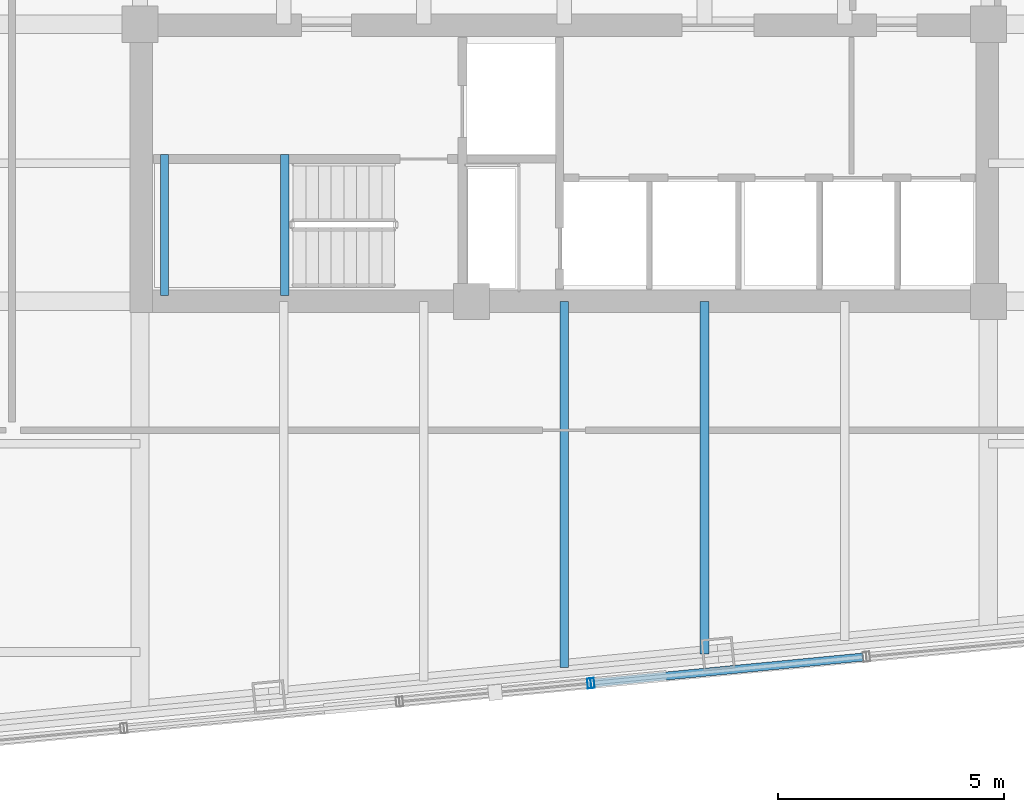
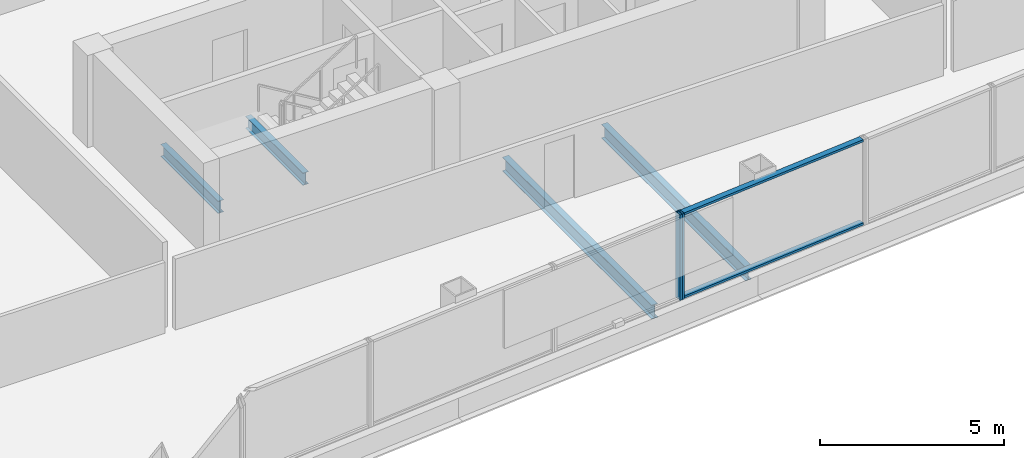
# One storey, part 6 of 28: 4 beams, 4 members, 2 elements without a shape of their own.
"""IFC4 building model written with IfcOpenShell, lengths in metres."""

from ifc_helpers import new_model, si_unit, direction, frame, origin, origin_2d, place, context, subcontext, project, spatial, hollow_rectangle, i_section, extrude, material, layer, layer_set, material_profile, profile_set, type_object, element, aggregate, save


model = new_model("IFC4")

# Units and contexts
model_context = context("Model", 3, precision=1e-05, world=origin(), true_north=direction((0.0, 1.0)))
body_context = subcontext(model_context, "Body", "Model", "MODEL_VIEW")
ifc_project = project(units=[si_unit("LENGTHUNIT", "METRE"), si_unit("AREAUNIT", "SQUARE_METRE"), si_unit("VOLUMEUNIT", "CUBIC_METRE"), si_unit("PLANEANGLEUNIT", "RADIAN"), si_unit("MASSUNIT", "GRAM", prefix="KILO")], contexts=[model_context])

# Site, building, storey
site_placement = place(None, origin())
site = spatial("IfcSite", under=ifc_project, at=site_placement, CompositionType="ELEMENT")
building_placement = place(site_placement, origin())
building = spatial("IfcBuilding", under=site, at=building_placement, Name="Qhalaya Broadcast Tower", CompositionType="ELEMENT")
storey_placement = place(building_placement, frame((0.0, 0.0, 159.199951171875)))
storey = spatial("IfcBuildingStorey", under=building, at=storey_placement, Name="L46", CompositionType="ELEMENT", Elevation=159.199951171875)

# Beams
ifc_material_1 = material(Name="Structural Steel ASTM A992 Grade 50", Category="steel")
ifc_material_profile_1 = material_profile(ifc_material_1, i_section(OverallWidth=0.19189453125, OverallDepth=0.462890625, WebThickness=0.010498046875, FlangeThickness=0.017578125, at=origin_2d()), Name="W18X60")
ifc_profile_set_1 = profile_set([ifc_material_profile_1], Name="Structural Steel ASTM A992 Grade 50")
beam_type_1 = type_object("IfcBeamType", Name="Composite Floor Joist J03", PredefinedType="JOIST", material=ifc_profile_set_1)
beam_1_placement = place(storey_placement, frame((0.0, -16.844482421875, -0.451416015625), z_axis=(0.0, 1.0, 0.0), x_axis=(-1.0, 0.0, 0.0)))
element("IfcBeam", 1, at=beam_1_placement, inside=storey, type_object=beam_type_1, Name="L46 J03 L46-JNS3-1", PredefinedType="JOIST", context=body_context, shape_type="SweptSolid", body=[
    extrude(i_section(OverallWidth=0.19189453125, OverallDepth=0.462890625, WebThickness=0.010498046875, FlangeThickness=0.017578125, at=origin_2d()), origin(), (0.0, 0.0, 1.0), 8.094482421875),
])
beam_2_placement = place(storey_placement, frame((3.10009765625, -16.546142578125, -0.451416015625), z_axis=(0.0, 1.0, 0.0), x_axis=(-1.0, 0.0, 0.0)))
element("IfcBeam", 2, at=beam_2_placement, inside=storey, type_object=beam_type_1, Name="L46 J03 L46-JNS4-1", PredefinedType="JOIST", context=body_context, shape_type="SweptSolid", body=[
    extrude(i_section(OverallWidth=0.19189453125, OverallDepth=0.462890625, WebThickness=0.010498046875, FlangeThickness=0.017578125, at=origin_2d()), origin(), (0.0, 0.0, 1.0), 7.796142578125),
])

# Curtain wall, member
ifc_material_2 = material(Name="Solar-Control Low-E Triple Glazing", Category="glass")
ifc_layer_1 = layer(ifc_material_2, 0.219970703125, Name="Solar-Control Low-E Triple Glazing")
ifc_layer_set_1 = layer_set([ifc_layer_1], Name="Solar-Control Low-E Triple Glazing")
curtain_wall_type_1 = type_object("IfcCurtainWallType", Name="Even-Block 4-Storey Double-Module Curtain Wall CW-03", PredefinedType="NOTDEFINED", material=ifc_layer_set_1)
curtain_wall_1_placement = place(storey_placement, origin())
curtain_wall_1 = element("IfcCurtainWall", 3, at=curtain_wall_1_placement, inside=storey, type_object=curtain_wall_type_1, Name="L46 Unitised Curtain Wall L46-CW-S4", PredefinedType="NOTDEFINED")
ifc_material_3 = material(Name="Anodised Aluminium 6063-T6", Category="aluminium")
ifc_material_profile_2 = material_profile(ifc_material_3, hollow_rectangle(XDim=0.074951171875, YDim=0.219970703125, WallThickness=0.00390625, at=origin_2d()), Name="ALU-MUL 75x220x4")
ifc_profile_set_2 = profile_set([ifc_material_profile_2], Name="Anodised Aluminium 6063-T6")
member_type_1 = type_object("IfcMemberType", Name="Unitised Curtain-Wall Mullion M01", PredefinedType="MULLION", material=ifc_profile_set_2)
member_1_placement = place(storey_placement, frame((0.553466796875, -17.193115234375, 0.0), z_axis=(0.0, 0.0, 1.0), x_axis=(0.995395094286, 0.095857218151, 0.0)))
member_1 = element("IfcMember", 4, at=member_1_placement, type_object=member_type_1, Name="CW-03 mullion 2", PredefinedType="MULLION", context=body_context, shape_type="SweptSolid", body=[
    extrude(hollow_rectangle(XDim=0.074951171875, YDim=0.219970703125, WallThickness=0.00390625, at=origin_2d()), origin(), (0.0, 0.0, 1.0), 2.830078125),
])
aggregate(curtain_wall_1, [member_1])

# Curtain wall, members
ifc_material_4 = material(Name="Fired Architectural Terracotta", Category="masonry")
ifc_layer_2 = layer(ifc_material_4, 0.219970703125, Name="Fired Architectural Terracotta")
ifc_layer_set_2 = layer_set([ifc_layer_2], Name="Fired Architectural Terracotta")
curtain_wall_type_2 = type_object("IfcCurtainWallType", Name="Block-Cap Unitised Terracotta Spandrel Wall CW-07", PredefinedType="NOTDEFINED", material=ifc_layer_set_2)
curtain_wall_2_placement = place(storey_placement, origin())
curtain_wall_2 = element("IfcCurtainWall", 5, at=curtain_wall_2_placement, inside=storey, type_object=curtain_wall_type_2, Name="L46 Unitised Curtain Wall L46-CW-S5", PredefinedType="NOTDEFINED")
member_2_placement = place(storey_placement, frame((0.628173828125, -17.185791015625, 0.0), z_axis=(0.0, 0.0, 1.0), x_axis=(0.995395960619, 0.095848221597, 0.0)))
member_2 = element("IfcMember", 6, at=member_2_placement, type_object=member_type_1, Name="CW-07 mullion 1", PredefinedType="MULLION", context=body_context, shape_type="SweptSolid", body=[
    extrude(hollow_rectangle(XDim=0.074951171875, YDim=0.219970703125, WallThickness=0.00390625, at=origin_2d()), origin(), (0.0, 0.0, 1.0), 2.830078125),
])
ifc_material_profile_3 = material_profile(ifc_material_3, hollow_rectangle(XDim=0.074951171875, YDim=0.179931640625, WallThickness=0.00390625, at=origin_2d()), Name="ALU-TRN 75x180x4")
ifc_profile_set_3 = profile_set([ifc_material_profile_3], Name="Anodised Aluminium 6063-T6")
member_type_2 = type_object("IfcMemberType", Name="Unitised Curtain-Wall Transom T01", PredefinedType="USERDEFINED", material=ifc_profile_set_3)
member_3_placement = place(storey_placement, frame((0.66552734375, -17.182373046875, 0.03759765625), z_axis=(0.995394324344, 0.095865213003, 0.0), x_axis=(0.0, 0.0, 1.0)))
member_3 = element("IfcMember", 7, at=member_3_placement, type_object=member_type_2, Name="CW-07 transom 1.1", ObjectType="TRANSOM", PredefinedType="USERDEFINED", context=body_context, shape_type="SweptSolid", body=[
    extrude(hollow_rectangle(XDim=0.074951171875, YDim=0.179931640625, WallThickness=0.00390625, at=origin_2d()), origin(), (0.0, 0.0, 1.0), 5.967041015625),
])
member_4_placement = place(storey_placement, frame((0.66552734375, -17.182373046875, 2.79248046875), z_axis=(0.995394324344, 0.095865213003, 0.0), x_axis=(0.0, 0.0, 1.0)))
member_4 = element("IfcMember", 8, at=member_4_placement, type_object=member_type_2, Name="CW-07 transom 1.2", ObjectType="TRANSOM", PredefinedType="USERDEFINED", context=body_context, shape_type="SweptSolid", body=[
    extrude(hollow_rectangle(XDim=0.074951171875, YDim=0.179931640625, WallThickness=0.00390625, at=origin_2d()), origin(), (0.0, 0.0, 1.0), 5.967041015625),
])
aggregate(curtain_wall_2, [member_2, member_3, member_4])

# Beams
ifc_material_profile_4 = material_profile(ifc_material_1, i_section(OverallWidth=0.177978515625, OverallDepth=0.406005859375, WebThickness=0.0078125, FlangeThickness=0.0126953125, at=origin_2d()), Name="W16X40")
ifc_profile_set_4 = profile_set([ifc_material_profile_4], Name="Structural Steel ASTM A992 Grade 50")
beam_type_2 = type_object("IfcBeamType", Name="Upper Perimeter Spandrel Beam SP2", PredefinedType="SPANDREL", material=ifc_profile_set_4)
for number, where, z_axis, x_axis, name in (
    (9, (-8.830078125, -8.6201171875, 1.1220703125), (0.0, 1.0, 0.0), (-1.0, 0.0, 0.0), "L46 ST-2 Half-Landing Bearer Beam 1"),
    (10, (-6.175048828125, -8.6201171875, 1.1220703125), (0.0, 1.0, 0.0), (-1.0, 0.0, 0.0), "L46 ST-2 Half-Landing Bearer Beam 2"),
):
    element("IfcBeam", number, at=place(storey_placement, frame(where, z_axis=z_axis, x_axis=x_axis)), inside=storey, type_object=beam_type_2, Name=name, PredefinedType="SPANDREL", context=body_context, shape_type="SweptSolid", body=[
        extrude(i_section(OverallWidth=0.177978515625, OverallDepth=0.406005859375, WebThickness=0.0078125, FlangeThickness=0.0126953125, at=origin_2d()), origin(), (0.0, 0.0, 1.0), 3.1201171875),
    ])

save(model, "model.ifc")
